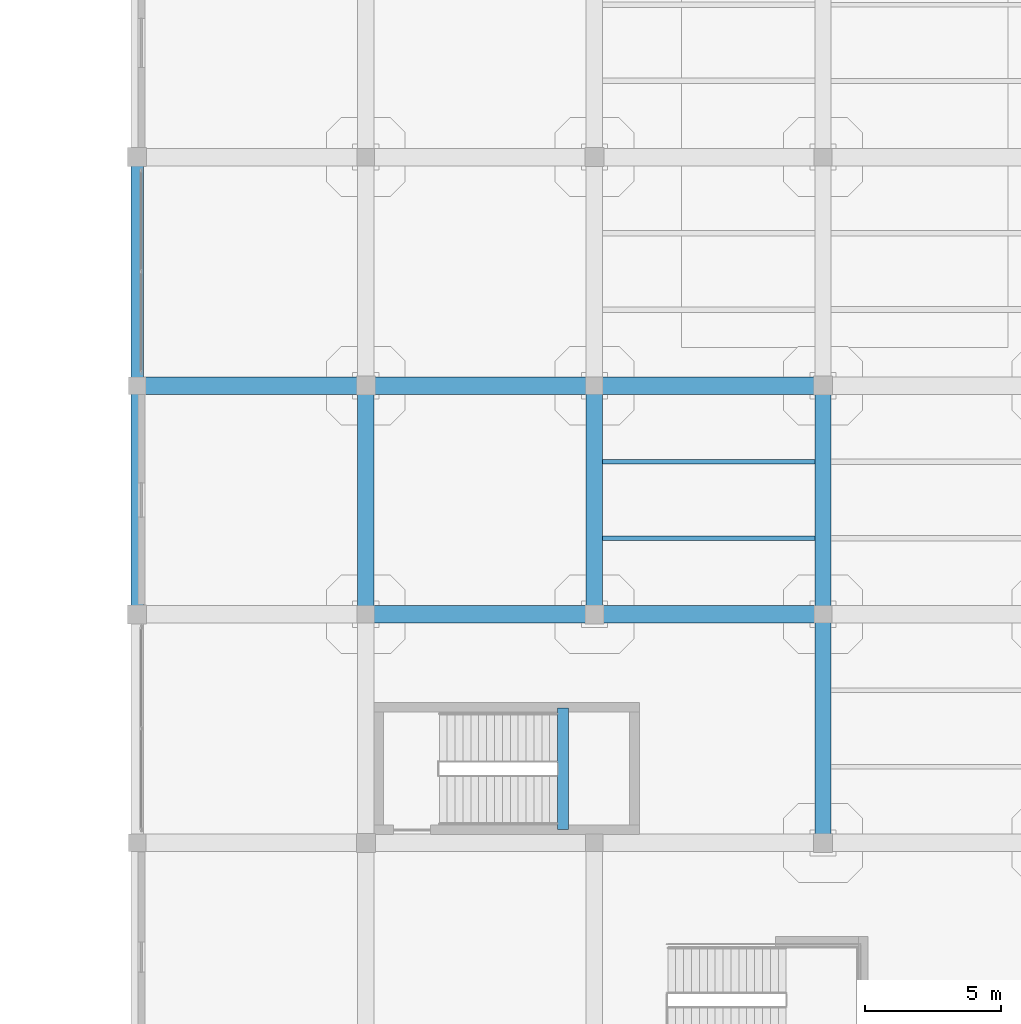
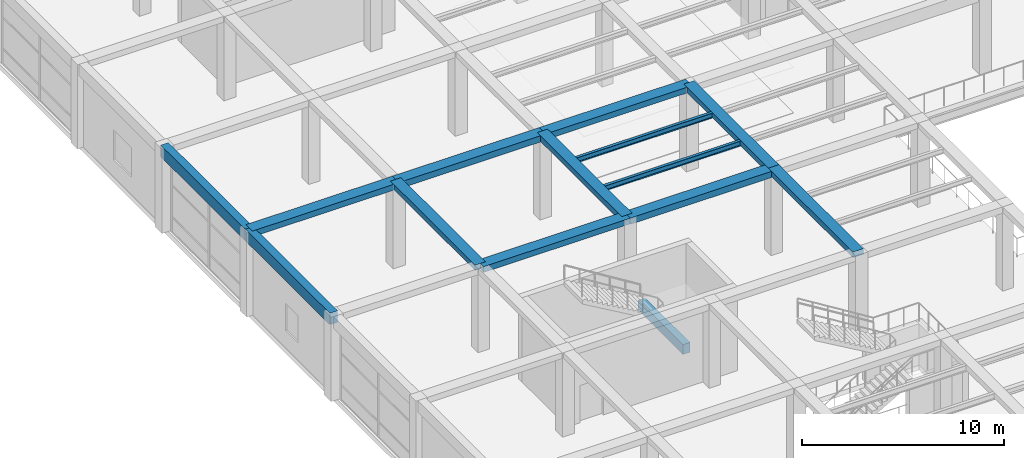
# One storey, part 30 of 95: 14 beams.
"""IFC4 building model written with IfcOpenShell, lengths in metres."""

from ifc_helpers import new_model, si_unit, direction, frame, origin, origin_2d, place, context, subcontext, project, spatial, rectangle, i_section, extrude, material, material_profile, profile_set, type_object, element, save


model = new_model("IFC4")

# Units and contexts
model_context = context("Model", 3, precision=1e-05, world=origin(), true_north=direction((0.0, 1.0)))
body_context = subcontext(model_context, "Body", "Model", "MODEL_VIEW")
ifc_project = project(units=[si_unit("LENGTHUNIT", "METRE"), si_unit("AREAUNIT", "SQUARE_METRE"), si_unit("VOLUMEUNIT", "CUBIC_METRE"), si_unit("PLANEANGLEUNIT", "RADIAN"), si_unit("MASSUNIT", "GRAM", prefix="KILO")], contexts=[model_context])

# Site, building, storey
site_placement = place(None, origin())
site = spatial("IfcSite", under=ifc_project, at=site_placement, CompositionType="ELEMENT")
building_placement = place(site_placement, origin())
building = spatial("IfcBuilding", under=site, at=building_placement, Name="Almacenes y Pasaje Nevantli", CompositionType="ELEMENT")
storey_placement = place(building_placement, frame((0.0, 0.0, 11.39990234375)))
storey = spatial("IfcBuildingStorey", under=building, at=storey_placement, Name="L03", CompositionType="ELEMENT", Elevation=11.39990234375)

# Beams
ifc_material_1 = material(Name="Concrete C35/45", Category="concrete")
ifc_material_profile_1 = material_profile(ifc_material_1, rectangle(XDim=0.39990234375, YDim=0.60009765625, at=origin_2d()), Name="RC-BM-400x600")
ifc_profile_set_1 = profile_set([ifc_material_profile_1], Name="Concrete C35/45")
beam_type_1 = type_object("IfcBeamType", Name="BM-RC-400x600", PredefinedType="SPANDREL", material=ifc_profile_set_1)
beam_1_placement = place(storey_placement, frame((15.64990234375, 59.300048828125, 2.2001953125), z_axis=(0.0, 1.0, 0.0), x_axis=(-1.0, 0.0, 0.0)))
element("IfcBeam", 1, at=beam_1_placement, inside=storey, type_object=beam_type_1, Name="L03 Stair ST-12 Half-Landing Support Beam", PredefinedType="SPANDREL", context=body_context, shape_type="SweptSolid", body=[
    extrude(rectangle(XDim=0.39990234375, YDim=0.60009765625, at=origin_2d()), origin(), (0.0, 0.0, 1.0), 4.449951171875),
])
ifc_material_2 = material(Name="Concrete C35/45", Category="concrete")
ifc_material_profile_2 = material_profile(ifc_material_2, rectangle(XDim=0.449951171875, YDim=0.699951171875, at=origin_2d()), Name="RC-BM-450x700")
ifc_profile_set_2 = profile_set([ifc_material_profile_2], Name="Concrete C35/45")
beam_type_2 = type_object("IfcBeamType", Name="BM-RC-450x700", PredefinedType="SPANDREL", material=ifc_profile_set_2)
beam_2_placement = place(storey_placement, frame((0.0, 67.199951171875, 4.75), z_axis=(0.0, 1.0, 0.0), x_axis=(-1.0, 0.0, 0.0)))
element("IfcBeam", 2, at=beam_2_placement, inside=storey, type_object=beam_type_2, Name="L03 North-South Reinforced Concrete Beam #2485", PredefinedType="SPANDREL", context=body_context, shape_type="SweptSolid", body=[
    extrude(rectangle(XDim=0.449951171875, YDim=0.699951171875, at=origin_2d()), origin(), (0.0, 0.0, 1.0), 8.400146484375),
])
beam_3_placement = place(storey_placement, frame((0.0, 75.60009765625, 4.75), z_axis=(0.0, 1.0, 0.0), x_axis=(-1.0, 0.0, 0.0)))
element("IfcBeam", 3, at=beam_3_placement, inside=storey, type_object=beam_type_2, Name="L03 North-South Reinforced Concrete Beam #2486", PredefinedType="SPANDREL", context=body_context, shape_type="SweptSolid", body=[
    extrude(rectangle(XDim=0.449951171875, YDim=0.699951171875, at=origin_2d()), origin(), (0.0, 0.0, 1.0), 8.39990234375),
])
ifc_material_3 = material(Name="Concrete C35/45", Category="concrete")
ifc_material_profile_3 = material_profile(ifc_material_3, rectangle(XDim=0.60009765625, YDim=0.320068359375, at=origin_2d()), Name="RC-BM-600x320")
ifc_profile_set_3 = profile_set([ifc_material_profile_3], Name="Concrete C35/45")
beam_type_3 = type_object("IfcBeamType", Name="BM-RC-600x320", PredefinedType="BEAM", material=ifc_profile_set_3)
for number, where, z_axis, x_axis, name in (
    (4, (8.39990234375, 67.199951171875, 4.940185546875), (0.0, 1.0, 0.0), (-1.0, 0.0, 0.0), "L03 North-South Reinforced Concrete Beam #2496"),
    (5, (25.199951171875, 67.199951171875, 4.940185546875), (0.0, 1.0, 0.0), (-1.0, 0.0, 0.0), "L03 North-South Reinforced Concrete Beam #2518"),
):
    element("IfcBeam", number, at=place(storey_placement, frame(where, z_axis=z_axis, x_axis=x_axis)), inside=storey, type_object=beam_type_3, Name=name, PredefinedType="BEAM", context=body_context, shape_type="SweptSolid", body=[
        extrude(rectangle(XDim=0.60009765625, YDim=0.320068359375, at=origin_2d()), origin(), (0.0, 0.0, 1.0), 8.400146484375),
    ])
ifc_material_4 = material(Name="Concrete C35/45", Category="concrete")
ifc_material_profile_4 = material_profile(ifc_material_4, rectangle(XDim=0.60009765625, YDim=0.340087890625, at=origin_2d()), Name="RC-BM-600x340")
ifc_profile_set_4 = profile_set([ifc_material_profile_4], Name="Concrete C35/45")
beam_type_4 = type_object("IfcBeamType", Name="BM-RC-600x340", PredefinedType="BEAM", material=ifc_profile_set_4)
beam_4_placement = place(storey_placement, frame((16.800048828125, 67.199951171875, 4.93017578125), z_axis=(0.0, 1.0, 0.0), x_axis=(-1.0, 0.0, 0.0)))
element("IfcBeam", 6, at=beam_4_placement, inside=storey, type_object=beam_type_4, Name="L03 North-South Reinforced Concrete Beam #2506", PredefinedType="BEAM", context=body_context, shape_type="SweptSolid", body=[
    extrude(rectangle(XDim=0.60009765625, YDim=0.340087890625, at=origin_2d()), origin(), (0.0, 0.0, 1.0), 8.400146484375),
])
beam_5_placement = place(storey_placement, frame((25.199951171875, 58.800048828125, 4.93017578125), z_axis=(0.0, 1.0, 0.0), x_axis=(-1.0, 0.0, 0.0)))
element("IfcBeam", 7, at=beam_5_placement, inside=storey, type_object=beam_type_4, Name="L03 North-South Reinforced Concrete Beam #2517", PredefinedType="BEAM", context=body_context, shape_type="SweptSolid", body=[
    extrude(rectangle(XDim=0.60009765625, YDim=0.340087890625, at=origin_2d()), origin(), (0.0, 0.0, 1.0), 8.39990234375),
])
ifc_material_5 = material(Name="Concrete C35/45", Category="concrete")
ifc_material_profile_5 = material_profile(ifc_material_5, rectangle(XDim=0.64990234375, YDim=0.35009765625, at=origin_2d()), Name="RC-BM-650x350")
ifc_profile_set_5 = profile_set([ifc_material_profile_5], Name="Concrete C35/45")
beam_type_5 = type_object("IfcBeamType", Name="BM-RC-650x350", PredefinedType="BEAM", material=ifc_profile_set_5)
beam_6_placement = place(storey_placement, frame((8.39990234375, 67.199951171875, 4.925048828125), z_axis=(1.0, 0.0, 0.0), x_axis=(0.0, 1.0, 0.0)))
element("IfcBeam", 8, at=beam_6_placement, inside=storey, type_object=beam_type_5, Name="L03 East-West Reinforced Concrete Beam #2362", PredefinedType="BEAM", context=body_context, shape_type="SweptSolid", body=[
    extrude(rectangle(XDim=0.64990234375, YDim=0.35009765625, at=origin_2d()), origin(), (0.0, 0.0, 1.0), 8.400146484375),
])
for number, where, z_axis, x_axis, name in (
    (9, (0.0, 75.60009765625, 4.925048828125), (1.0, 0.0, 0.0), (0.0, 1.0, 0.0), "L03 East-West Reinforced Concrete Beam #2375"),
    (10, (16.800048828125, 75.60009765625, 4.925048828125), (1.0, 0.0, 0.0), (0.0, 1.0, 0.0), "L03 East-West Reinforced Concrete Beam #2377"),
):
    element("IfcBeam", number, at=place(storey_placement, frame(where, z_axis=z_axis, x_axis=x_axis)), inside=storey, type_object=beam_type_5, Name=name, PredefinedType="BEAM", context=body_context, shape_type="SweptSolid", body=[
        extrude(rectangle(XDim=0.64990234375, YDim=0.35009765625, at=origin_2d()), origin(), (0.0, 0.0, 1.0), 8.39990234375),
    ])
ifc_material_6 = material(Name="Concrete C35/45", Category="concrete")
ifc_material_profile_6 = material_profile(ifc_material_6, rectangle(XDim=0.64990234375, YDim=0.3798828125, at=origin_2d()), Name="RC-BM-650x380")
ifc_profile_set_6 = profile_set([ifc_material_profile_6], Name="Concrete C35/45")
beam_type_6 = type_object("IfcBeamType", Name="BM-RC-650x380", PredefinedType="BEAM", material=ifc_profile_set_6)
beam_7_placement = place(storey_placement, frame((16.800048828125, 67.199951171875, 4.91015625), z_axis=(1.0, 0.0, 0.0), x_axis=(0.0, 1.0, 0.0)))
element("IfcBeam", 11, at=beam_7_placement, inside=storey, type_object=beam_type_6, Name="L03 East-West Reinforced Concrete Beam #2363", PredefinedType="BEAM", context=body_context, shape_type="SweptSolid", body=[
    extrude(rectangle(XDim=0.64990234375, YDim=0.3798828125, at=origin_2d()), origin(), (0.0, 0.0, 1.0), 8.39990234375),
])
beam_8_placement = place(storey_placement, frame((8.39990234375, 75.60009765625, 4.91015625), z_axis=(1.0, 0.0, 0.0), x_axis=(0.0, 1.0, 0.0)))
element("IfcBeam", 12, at=beam_8_placement, inside=storey, type_object=beam_type_6, Name="L03 East-West Reinforced Concrete Beam #2376", PredefinedType="BEAM", context=body_context, shape_type="SweptSolid", body=[
    extrude(rectangle(XDim=0.64990234375, YDim=0.3798828125, at=origin_2d()), origin(), (0.0, 0.0, 1.0), 8.400146484375),
])
ifc_material_7 = material(Name="Steel ASTM A992", Category="steel")
ifc_material_profile_7 = material_profile(ifc_material_7, i_section(OverallWidth=0.1650390625, OverallDepth=0.306884765625, WebThickness=0.006591796875, FlangeThickness=0.01025390625, at=origin_2d()), Name="IR 305x44.6")
ifc_profile_set_7 = profile_set([ifc_material_profile_7], Name="Steel ASTM A992")
beam_type_7 = type_object("IfcBeamType", Name="BM-STL-IR-305x44p6", PredefinedType="JOIST", material=ifc_profile_set_7)
for number, where, z_axis, x_axis, name in (
    (13, (17.10009765625, 70.0, 4.9384765625), (1.0, 0.0, 0.0), (0.0, 1.0, 0.0), "L03 Secondary Steel Floor Joist #687"),
    (14, (17.10009765625, 72.800048828125, 4.9384765625), (1.0, 0.0, 0.0), (0.0, 1.0, 0.0), "L03 Secondary Steel Floor Joist #688"),
):
    element("IfcBeam", number, at=place(storey_placement, frame(where, z_axis=z_axis, x_axis=x_axis)), inside=storey, type_object=beam_type_7, Name=name, PredefinedType="JOIST", context=body_context, shape_type="SweptSolid", body=[
        extrude(i_section(OverallWidth=0.1650390625, OverallDepth=0.306884765625, WebThickness=0.006591796875, FlangeThickness=0.01025390625, at=origin_2d()), origin(), (0.0, 0.0, 1.0), 7.7998046875),
    ])

save(model, "model.ifc")
